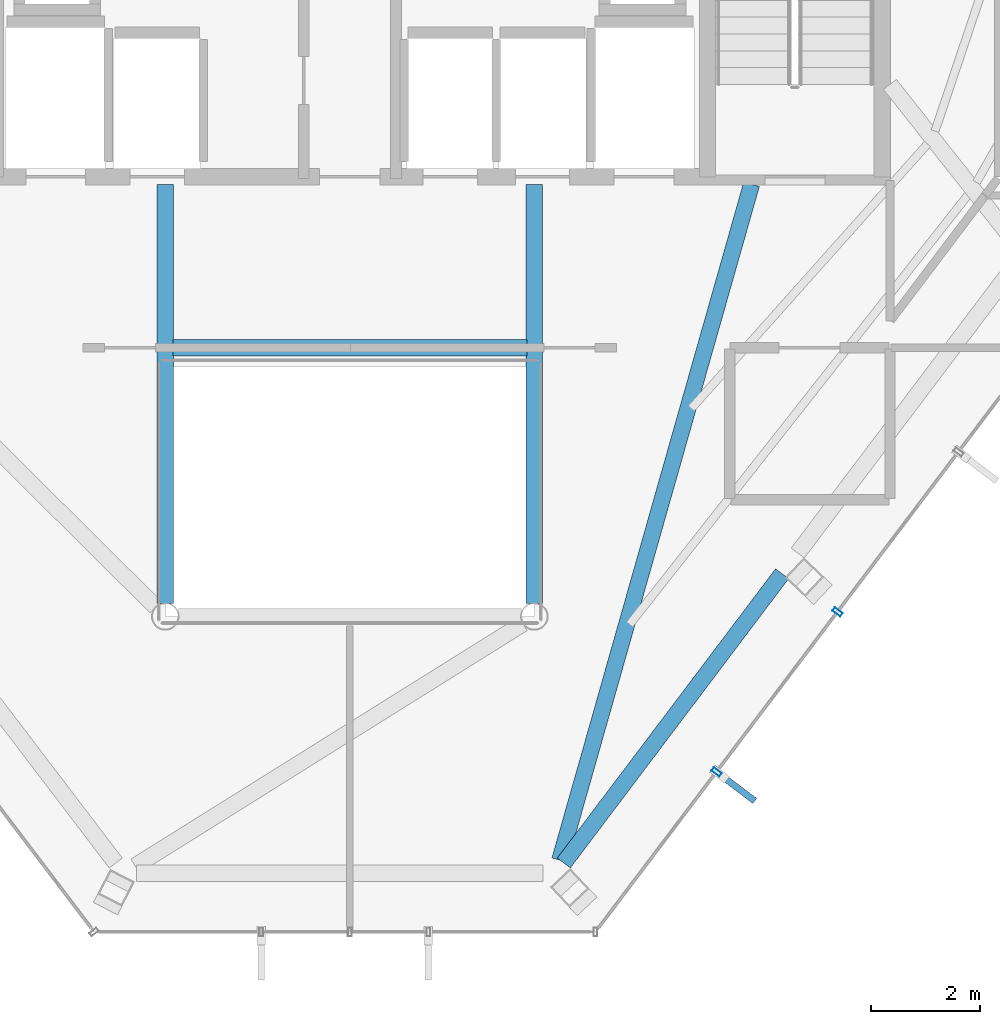
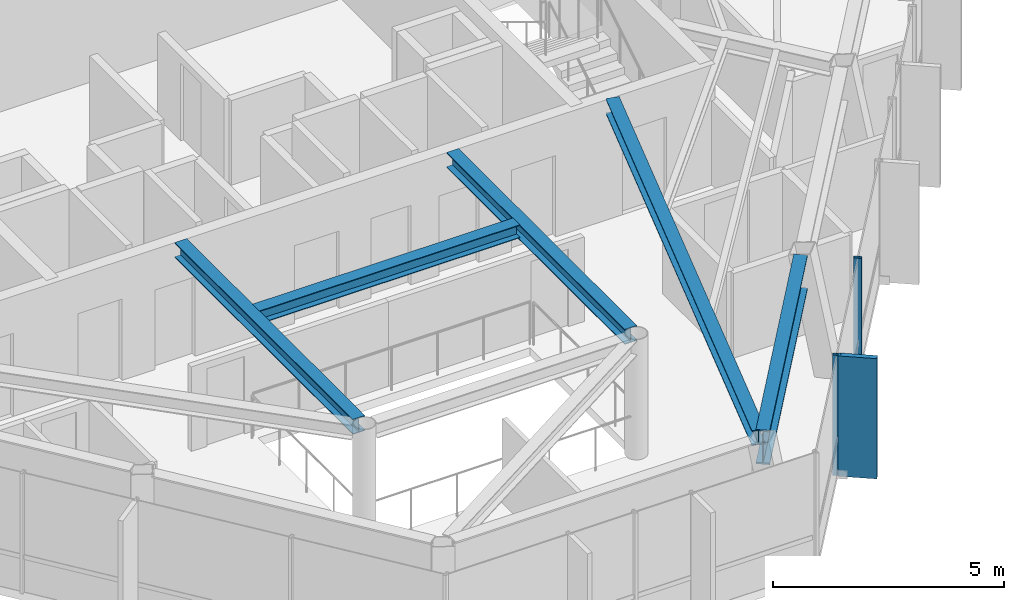
# One storey, part 7 of 25: 5 beams, 3 members, 1 element without a shape of its own.
"""IFC4 building model written with IfcOpenShell, lengths in metres."""

from ifc_helpers import new_model, si_unit, direction, frame, origin, origin_2d, place, context, subcontext, project, spatial, rectangle, hollow_rectangle, i_section, extrude, material, layer, layer_set, material_profile, profile_set, type_object, element, aggregate, save


model = new_model("IFC4")

# Units and contexts
model_context = context("Model", 3, precision=1e-05, world=origin(), true_north=direction((0.0, 1.0)))
body_context = subcontext(model_context, "Body", "Model", "MODEL_VIEW")
ifc_project = project(units=[si_unit("LENGTHUNIT", "METRE"), si_unit("AREAUNIT", "SQUARE_METRE"), si_unit("VOLUMEUNIT", "CUBIC_METRE"), si_unit("PLANEANGLEUNIT", "RADIAN"), si_unit("MASSUNIT", "GRAM", prefix="KILO")], contexts=[model_context])

# Site, building, storey
site_placement = place(None, origin())
site = spatial("IfcSite", under=ifc_project, at=site_placement, CompositionType="ELEMENT")
building_placement = place(site_placement, origin())
building = spatial("IfcBuilding", under=site, at=building_placement, Name="Zarrinselat Tower", CompositionType="ELEMENT")
storey_placement = place(building_placement, frame((0.0, 0.0, 275.39990234375)))
storey = spatial("IfcBuildingStorey", under=building, at=storey_placement, Name="L70", CompositionType="ELEMENT", Elevation=275.39990234375)

# Beams
ifc_material_1 = material(Name="Steel S355J2", Category="steel")
ifc_material_profile_1 = material_profile(ifc_material_1, i_section(OverallWidth=0.300048828125, OverallDepth=0.35009765625, WebThickness=0.010009765625, FlangeThickness=0.017578125, at=origin_2d()), Name="HEA 360")
ifc_profile_set_1 = profile_set([ifc_material_profile_1], Name="Steel S355J2")
beam_type_1 = type_object("IfcBeamType", Name="BM-HEA360", PredefinedType="LINTEL", material=ifc_profile_set_1)
beam_1_placement = place(storey_placement, frame((35.139892578125, 30.14990234375, 3.005126953125), z_axis=(1.0, 0.0, 0.0), x_axis=(0.0, 1.0, 0.0)))
element("IfcBeam", 1, at=beam_1_placement, inside=storey, type_object=beam_type_1, Name="L70 Lift Lobby Ceiling Beam", PredefinedType="LINTEL", context=body_context, shape_type="SweptSolid", body=[
    extrude(i_section(OverallWidth=0.300048828125, OverallDepth=0.35009765625, WebThickness=0.010009765625, FlangeThickness=0.017578125, at=origin_2d()), origin(), (0.0, 0.0, 1.0), 6.52001953125),
])
ifc_material_2 = material(Name="Steel S355J2", Category="steel")
ifc_material_profile_2 = material_profile(ifc_material_2, i_section(OverallWidth=0.300048828125, OverallDepth=0.39990234375, WebThickness=0.013427734375, FlangeThickness=0.02392578125, at=origin_2d()), Name="HEB 400")
ifc_profile_set_2 = profile_set([ifc_material_profile_2], Name="Steel S355J2")
beam_type_2 = type_object("IfcBeamType", Name="BM-HEB400", PredefinedType="BEAM", material=ifc_profile_set_2)
for number, where, z_axis, x_axis, name in (
    (2, (35.0, 25.43994140625, 2.97998046875), (0.0, 1.0, 0.0), (-1.0, 0.0, 0.0), "L70 Atrium Edge Beam W"),
    (3, (41.800048828125, 25.43994140625, 2.97998046875), (0.0, 1.0, 0.0), (-1.0, 0.0, 0.0), "L70 Atrium Edge Beam E"),
):
    element("IfcBeam", number, at=place(storey_placement, frame(where, z_axis=z_axis, x_axis=x_axis)), inside=storey, type_object=beam_type_2, Name=name, PredefinedType="BEAM", context=body_context, shape_type="SweptSolid", body=[
        extrude(i_section(OverallWidth=0.300048828125, OverallDepth=0.39990234375, WebThickness=0.013427734375, FlangeThickness=0.02392578125, at=origin_2d()), origin(), (0.0, 0.0, 1.0), 7.719970703125),
    ])
beam_2_placement = place(storey_placement, frame((42.267822265625, 20.71142578125, 2.97998046875), z_axis=(0.272971358875, 0.962022160469, 0.0), x_axis=(-0.962022160469, 0.272971358875, 0.0)))
element("IfcBeam", 4, at=beam_2_placement, inside=storey, type_object=beam_type_2, Name="L70 Radial Primary Girder RG11", PredefinedType="BEAM", context=body_context, shape_type="SweptSolid", body=[
    extrude(i_section(OverallWidth=0.300048828125, OverallDepth=0.39990234375, WebThickness=0.013427734375, FlangeThickness=0.02392578125, at=origin_2d()), origin(), (0.0, 0.0, 1.0), 12.93994140625),
])
ifc_material_3 = material(Name="Steel S460M", Category="steel")
ifc_material_profile_3 = material_profile(ifc_material_3, i_section(OverallWidth=0.302001953125, OverallDepth=0.909912109375, WebThickness=0.02099609375, FlangeThickness=0.0400390625, at=origin_2d()), Name="HEM 900")
ifc_profile_set_3 = profile_set([ifc_material_profile_3], Name="Steel S460M")
beam_type_3 = type_object("IfcBeamType", Name="BM-HEM900", PredefinedType="BEAM", material=ifc_profile_set_3)
beam_3_placement = place(storey_placement, frame((42.34228515625, 20.6591796875, 2.72509765625), z_axis=(0.60246624825, 0.7981443602, 0.0), x_axis=(-0.7981443602, 0.60246624825, 0.0)))
element("IfcBeam", 5, at=beam_3_placement, inside=storey, type_object=beam_type_3, Name="L70 Perimeter Spandrel Girder SP11", PredefinedType="BEAM", context=body_context, shape_type="SweptSolid", body=[
    extrude(i_section(OverallWidth=0.302001953125, OverallDepth=0.909912109375, WebThickness=0.02099609375, FlangeThickness=0.0400390625, at=origin_2d()), origin(), (0.0, 0.0, 1.0), 6.67626953125),
])

# Curtain wall, members
ifc_material_4 = material(Name="Extruded Aluminium Alloy EN AW-6063 T6", Category="aluminium")
ifc_layer = layer(ifc_material_4, 0.199951171875)
ifc_layer_set = layer_set([ifc_layer], Name="Extruded Aluminium Alloy EN AW-6063 T6")
curtain_wall_type = type_object("IfcCurtainWallType", Name="CWS-BLADE", PredefinedType="NOTDEFINED", material=ifc_layer_set)
curtain_wall_placement = place(storey_placement, origin())
curtain_wall = element("IfcCurtainWall", 6, at=curtain_wall_placement, inside=storey, type_object=curtain_wall_type, Name="L70 Unitised Curtain Wall CW-L70-E05", PredefinedType="NOTDEFINED")
ifc_material_5 = material(Name="Extruded Aluminium Alloy EN AW-6063 T6", Category="aluminium")
ifc_material_profile_4 = material_profile(ifc_material_5, hollow_rectangle(XDim=0.080078125, YDim=0.179931640625, WallThickness=0.0048828125, at=origin_2d()), Name="RHS 180x80x5")
ifc_profile_set_4 = profile_set([ifc_material_profile_4], Name="Extruded Aluminium Alloy EN AW-6063 T6")
member_type_1 = type_object("IfcMemberType", Name="MEM-CW-MUL", PredefinedType="MULLION", material=ifc_profile_set_4)
member_1_placement = place(storey_placement, frame((45.156005859375, 22.33544921875, 0.0), z_axis=(0.0, 0.0, 1.0), x_axis=(0.603169586453, 0.797612970041, 0.0)))
member_1 = element("IfcMember", 7, at=member_1_placement, type_object=member_type_1, Name="CW-L70-E05 Mullion 1", PredefinedType="MULLION", context=body_context, shape_type="SweptSolid", body=[
    extrude(hollow_rectangle(XDim=0.080078125, YDim=0.179931640625, WallThickness=0.0048828125, at=origin_2d()), origin(), (0.0, 0.0, 1.0), 3.18017578125),
])
member_2_placement = place(storey_placement, frame((47.385009765625, 25.28271484375, 0.0), z_axis=(0.0, 0.0, 1.0), x_axis=(0.603169586453, 0.797612970041, 0.0)))
member_2 = element("IfcMember", 8, at=member_2_placement, type_object=member_type_1, Name="CW-L70-E05 Mullion 2", PredefinedType="MULLION", context=body_context, shape_type="SweptSolid", body=[
    extrude(hollow_rectangle(XDim=0.080078125, YDim=0.179931640625, WallThickness=0.0048828125, at=origin_2d()), origin(), (0.0, 0.0, 1.0), 3.18017578125),
])
ifc_material_6 = material(Name="Honed Cream Travertine Stone", Category="masonry")
ifc_material_profile_5 = material_profile(ifc_material_6, rectangle(XDim=0.1201171875, YDim=0.85009765625, at=origin_2d()), Name="FIN 850x120")
ifc_profile_set_5 = profile_set([ifc_material_profile_5], Name="Honed Cream Travertine Stone")
member_type_2 = type_object("IfcMemberType", Name="MEM-STONE-FIN", PredefinedType="USERDEFINED", material=ifc_profile_set_5)
member_3_placement = place(storey_placement, frame((45.52294921875, 22.057861328125, 0.0), z_axis=(0.0, 0.0, 1.0), x_axis=(-0.603169586453, -0.797612970041, 0.0)))
member_3 = element("IfcMember", 9, at=member_3_placement, type_object=member_type_2, Name="L70 Stone Shading Fin CW-L70-E05-01", ObjectType="FIN", PredefinedType="USERDEFINED", context=body_context, shape_type="SweptSolid", body=[
    extrude(rectangle(XDim=0.1201171875, YDim=0.85009765625, at=origin_2d()), origin(), (0.0, 0.0, 1.0), 3.18017578125),
])
aggregate(curtain_wall, [member_1, member_3, member_2])

save(model, "model.ifc")
